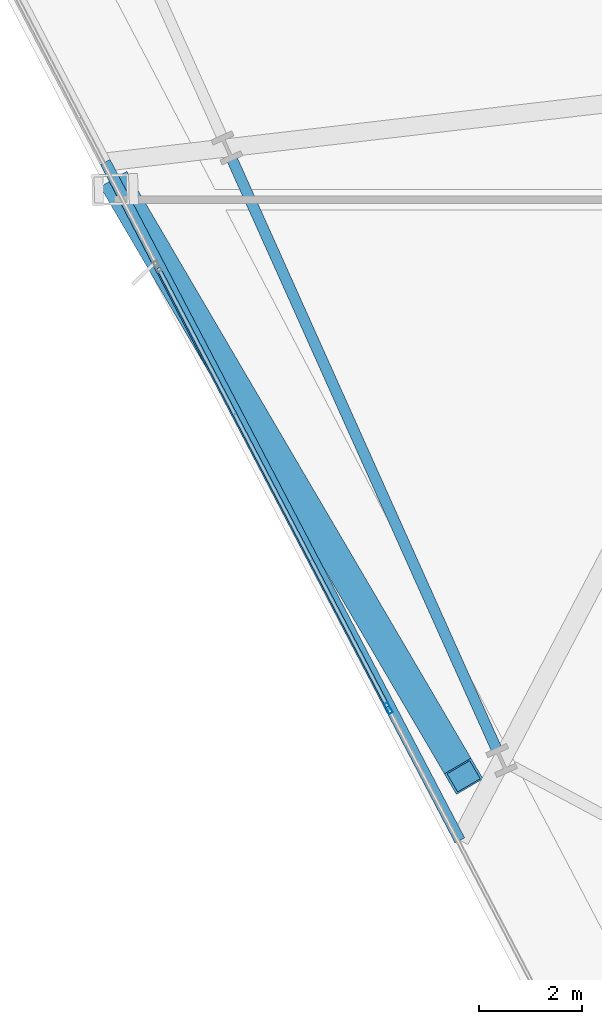
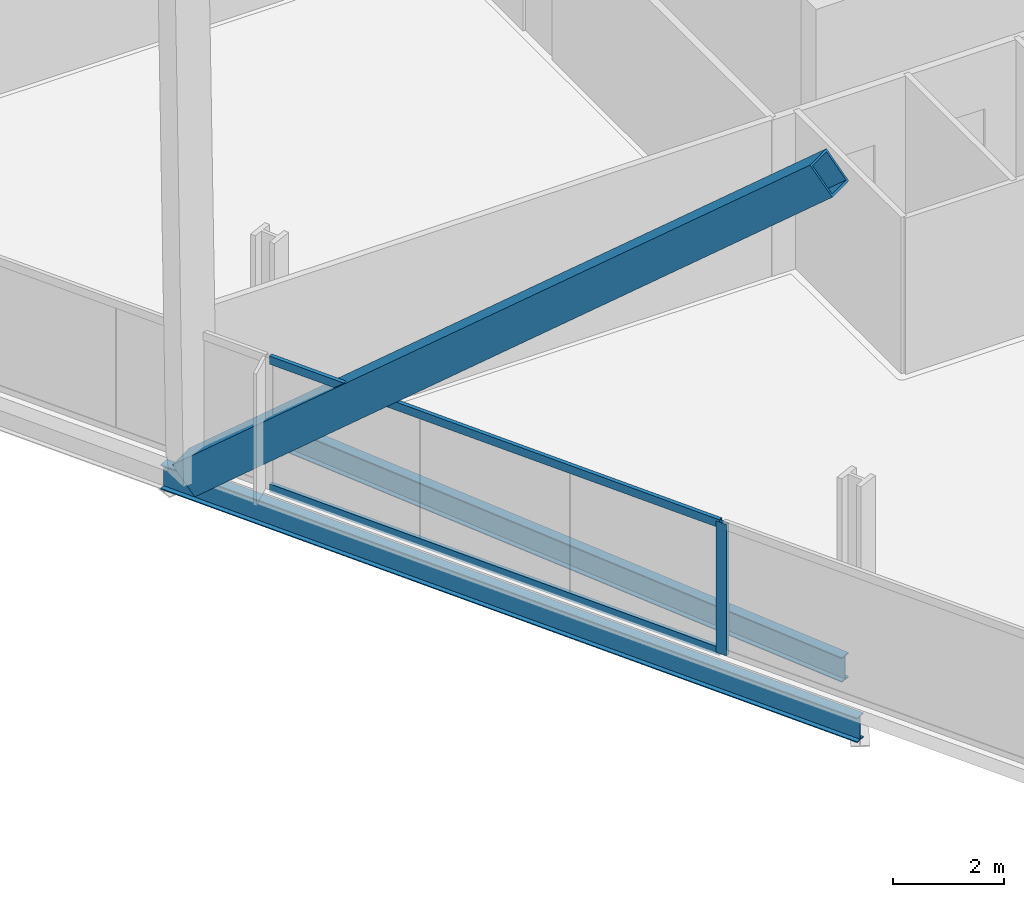
# One storey, part 2 of 33: 4 members, 2 beams, 1 element without a shape of its own.
"""IFC4 building model written with IfcOpenShell, lengths in metres."""

from ifc_helpers import new_model, si_unit, direction, frame, origin, origin_2d, place, context, subcontext, project, spatial, hollow_rectangle, i_section, extrude, material, material_profile, profile_set, type_object, element, aggregate, save


model = new_model("IFC4")

# Units and contexts
model_context = context("Model", 3, precision=1e-05, world=origin(), true_north=direction((0.0, 1.0)))
body_context = subcontext(model_context, "Body", "Model", "MODEL_VIEW")
ifc_project = project(units=[si_unit("LENGTHUNIT", "METRE"), si_unit("AREAUNIT", "SQUARE_METRE"), si_unit("VOLUMEUNIT", "CUBIC_METRE"), si_unit("PLANEANGLEUNIT", "RADIAN"), si_unit("MASSUNIT", "GRAM", prefix="KILO")], contexts=[model_context])

# Site, building, storey
site_placement = place(None, origin())
site = spatial("IfcSite", under=ifc_project, at=site_placement, CompositionType="ELEMENT")
building_placement = place(site_placement, origin())
building = spatial("IfcBuilding", under=site, at=building_placement, Name="Haldenkirk Collegiate Tower", CompositionType="ELEMENT")
storey_placement = place(building_placement, frame((0.0, 0.0, 120.449951171875)))
storey = spatial("IfcBuildingStorey", under=building, at=storey_placement, Name="L29", CompositionType="ELEMENT", Elevation=120.449951171875)

# Beams
ifc_material_1 = material(Name="Steel ASTM A992 Grade 50", Category="steel")
ifc_material_profile_1 = material_profile(ifc_material_1, i_section(OverallWidth=0.2119140625, OverallDepth=0.5439453125, WebThickness=0.01318359375, FlangeThickness=0.021240234375, at=origin_2d()), Name="W21X83")
ifc_profile_set_1 = profile_set([ifc_material_profile_1], Name="Steel ASTM A992 Grade 50")
beam_type = type_object("IfcBeamType", Name="BM-SPANDREL-W21X83", PredefinedType="SPANDREL", material=ifc_profile_set_1)
beam_1_placement = place(storey_placement, frame((14.742919921875, 16.3369140625, -0.572021484375), z_axis=(0.409131045523, -0.91247563671, 0.0), x_axis=(0.91247563671, 0.409131045523, 0.0)))
element("IfcBeam", 1, at=beam_1_placement, inside=storey, type_object=beam_type, Name="L29 perimeter spandrel beam 15", PredefinedType="SPANDREL", context=body_context, shape_type="SweptSolid", body=[
    extrude(i_section(OverallWidth=0.2119140625, OverallDepth=0.5439453125, WebThickness=0.01318359375, FlangeThickness=0.021240234375, at=origin_2d()), origin(), (0.0, 0.0, 1.0), 12.593994140625),
])
beam_2_placement = place(storey_placement, frame((12.270751953125, 16.28466796875, -0.572021484375), z_axis=(0.463291896801, -0.88620574268, 0.0), x_axis=(0.88620574268, 0.463291896801, 0.0)))
element("IfcBeam", 2, at=beam_2_placement, inside=storey, type_object=beam_type, Name="L29 outer facade edge beam 4B", PredefinedType="SPANDREL", context=body_context, shape_type="SweptSolid", body=[
    extrude(i_section(OverallWidth=0.2119140625, OverallDepth=0.5439453125, WebThickness=0.01318359375, FlangeThickness=0.021240234375, at=origin_2d()), origin(), (0.0, 0.0, 1.0), 14.91650390625),
])

# Curtain wall, members
ifc_material_2 = material(Name="Anodised architectural bronze aluminium", Category="aluminium")
curtain_wall_type = type_object("IfcCurtainWallType", Name="CW-SYS1-CONVEX-LOW", PredefinedType="USERDEFINED", material=ifc_material_2)
curtain_wall_placement = place(storey_placement, origin())
curtain_wall = element("IfcCurtainWall", 3, at=curtain_wall_placement, inside=storey, type_object=curtain_wall_type, Name="L29 Lower tower convex bronze-framed unitised curtain wall", ObjectType="UNITISED CURTAIN WALL", PredefinedType="USERDEFINED")
ifc_material_profile_2 = material_profile(ifc_material_2, hollow_rectangle(XDim=0.080078125, YDim=0.219970703125, WallThickness=0.0048828125, at=origin_2d()), Name="CW-MUL-1A")
ifc_profile_set_2 = profile_set([ifc_material_profile_2], Name="Anodised architectural bronze aluminium")
member_type_1 = type_object("IfcMemberType", Name="CW-MUL-1A", PredefinedType="MULLION", material=ifc_profile_set_2)
member_1_placement = place(storey_placement, frame((17.790283203125, 5.640380859375, 0.0), z_axis=(0.0, 0.0, 1.0), x_axis=(-0.8862046336, -0.463294018292, 0.0)))
member_1 = element("IfcMember", 4, at=member_1_placement, type_object=member_type_1, Name="CW-1A mullion 2", PredefinedType="MULLION", context=body_context, shape_type="SweptSolid", body=[
    extrude(hollow_rectangle(XDim=0.080078125, YDim=0.219970703125, WallThickness=0.0048828125, at=origin_2d()), origin(), (0.0, 0.0, 1.0), 2.901123046875),
])
ifc_material_profile_3 = material_profile(ifc_material_2, hollow_rectangle(XDim=0.080078125, YDim=0.179931640625, WallThickness=0.0048828125, at=origin_2d()), Name="CW-TRN-1A")
ifc_profile_set_3 = profile_set([ifc_material_profile_3], Name="Anodised architectural bronze aluminium")
member_type_2 = type_object("IfcMemberType", Name="CW-TRN-1A", PredefinedType="USERDEFINED", material=ifc_profile_set_3)
member_2_placement = place(storey_placement, frame((17.771728515625, 5.676025390625, 0.0400390625), z_axis=(-0.46330077788, 0.88620109976, 0.0), x_axis=(-0.88620109976, -0.46330077788, 0.0)))
member_2 = element("IfcMember", 5, at=member_2_placement, type_object=member_type_2, Name="CW-1A transom 2.1", ObjectType="TRANSOM", PredefinedType="USERDEFINED", context=body_context, shape_type="SweptSolid", body=[
    extrude(hollow_rectangle(XDim=0.080078125, YDim=0.179931640625, WallThickness=0.0048828125, at=origin_2d()), origin(), (0.0, 0.0, 1.0), 9.638671875),
])
member_3_placement = place(storey_placement, frame((17.771728515625, 5.676025390625, 2.861083984375), z_axis=(-0.46330077788, 0.88620109976, 0.0), x_axis=(-0.88620109976, -0.46330077788, 0.0)))
member_3 = element("IfcMember", 6, at=member_3_placement, type_object=member_type_2, Name="CW-1A transom 2.2", ObjectType="TRANSOM", PredefinedType="USERDEFINED", context=body_context, shape_type="SweptSolid", body=[
    extrude(hollow_rectangle(XDim=0.080078125, YDim=0.179931640625, WallThickness=0.0048828125, at=origin_2d()), origin(), (0.0, 0.0, 1.0), 9.638671875),
])
aggregate(curtain_wall, [member_1, member_2, member_3])

# Member
ifc_material_3 = material(Name="Steel ASTM A572 Grade 50", Category="steel")
ifc_material_profile_4 = material_profile(ifc_material_3, hollow_rectangle(XDim=0.60009765625, YDim=0.719970703125, WallThickness=0.044921875, at=origin_2d()), Name="BOX720X600X45")
ifc_profile_set_4 = profile_set([ifc_material_profile_4], Name="Steel ASTM A572 Grade 50")
member_type_3 = type_object("IfcMemberType", Name="MBR-MEGABRACE-BOX720X600X45", PredefinedType="BRACE", material=ifc_profile_set_4)
member_4_placement = place(storey_placement, frame((12.549560546875, 15.751220703125, -0.31005859375), z_axis=(0.386417620848, -0.65898193373, 0.645309408978), x_axis=(0.862630647652, 0.505834326367, 0.0)))
element("IfcMember", 7, at=member_4_placement, inside=storey, type_object=member_type_3, Name="Perimeter Mega Brace Z2 L29-L31 WR", PredefinedType="BRACE", context=body_context, shape_type="SweptSolid", body=[
    extrude(hollow_rectangle(XDim=0.60009765625, YDim=0.719970703125, WallThickness=0.044921875, at=origin_2d()), origin(), (0.0, 0.0, 1.0), 17.356201171875),
])

save(model, "model.ifc")
